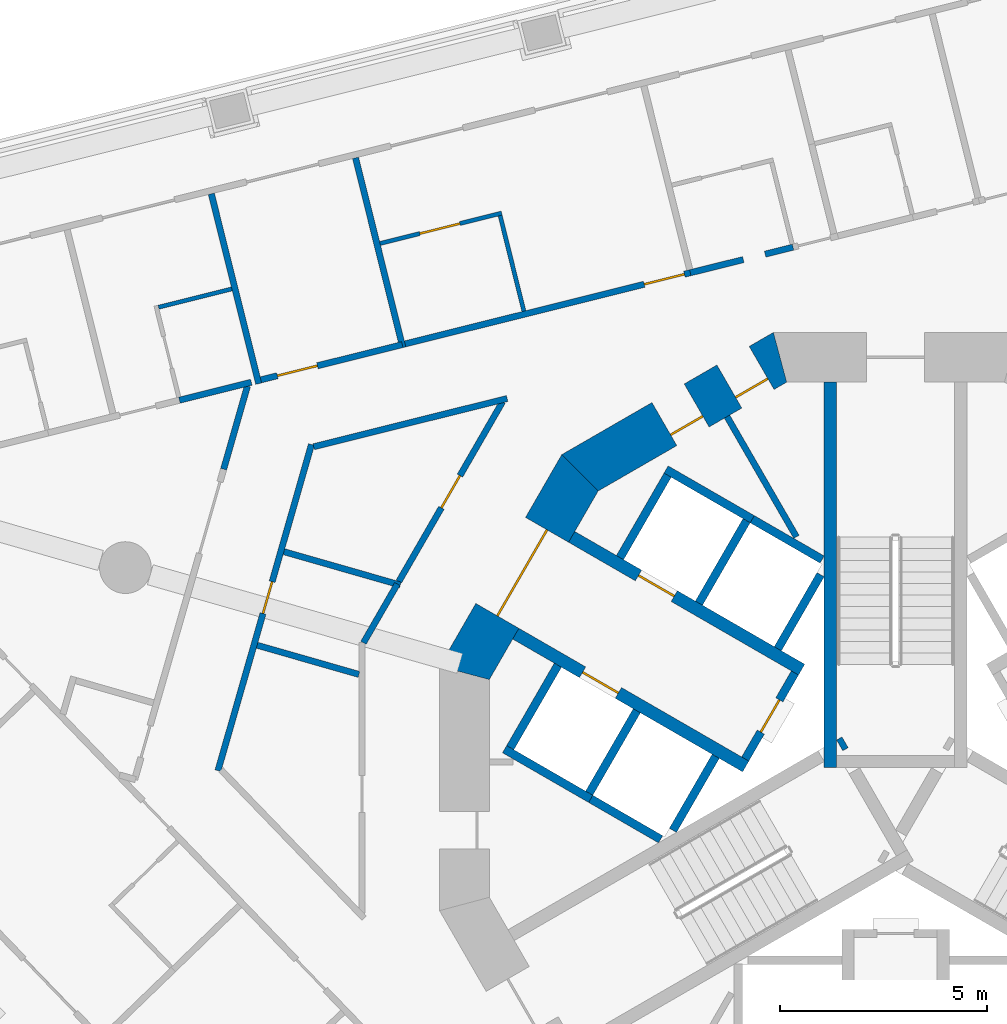
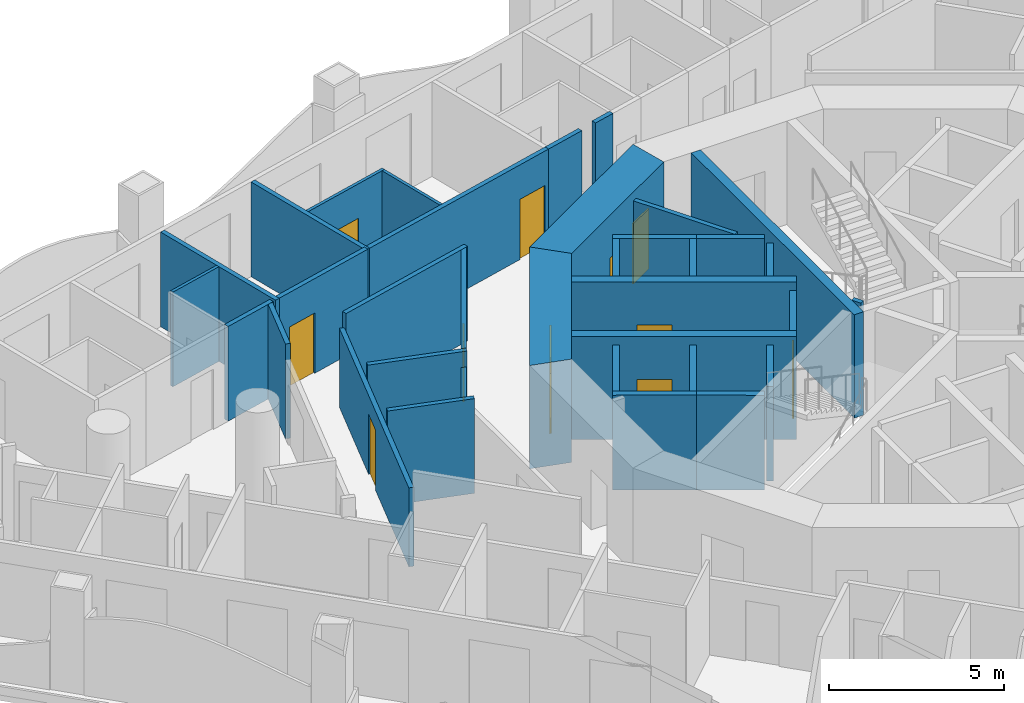
# One storey, part 7 of 19: 35 walls, 11 doors, 11 openings.
"""IFC4 building model written with IfcOpenShell, lengths in metres."""

import ifcopenshell
import ifcopenshell.guid

model = None  # the IFC model being written
_history = None  # IfcOwnerHistory: only IFC2X3 demands one
_inside = {}  # id of a spatial element -> (the spatial element, [elements in it])
_under = {}  # id of a project, library or spatial element -> (it, [spatial elements below it])
_declared = {}  # id of a project -> (the project, [libraries it declares])
_typed = {}  # id of a type object -> (the type object, [elements of that type])
_made_of = {}  # id of a material, layer set ... -> (it, [elements and type objects made of it])


def new_model(schema):
    """Start an empty IFC model of exactly this schema.

    Asked for "IFC4X3", IfcOpenShell would pick the latest addendum, in which some entities
    have other attributes; the version numbers below select the first issue.
    IFC2X3 requires an IfcOwnerHistory on every rooted entity: one is made here for all.
    """
    global model, _history
    if schema == "IFC4X3":
        model = ifcopenshell.file(schema_version=(4, 3, 0, 0))
    else:
        model = ifcopenshell.file(schema=schema)
    _inside.clear()
    _under.clear()
    _declared.clear()
    _typed.clear()
    _made_of.clear()
    _history = None
    if model.schema == "IFC2X3":
        org = make("IfcOrganization", Name="unknown")
        user = make(
            "IfcPersonAndOrganization",
            ThePerson=make("IfcPerson", FamilyName="unknown"),
            TheOrganization=org,
        )
        app = make(
            "IfcApplication",
            ApplicationDeveloper=org,
            Version="unknown",
            ApplicationFullName="unknown",
            ApplicationIdentifier="unknown",
        )
        _history = make(
            "IfcOwnerHistory",
            OwningUser=user,
            OwningApplication=app,
            ChangeAction="ADDED",
            CreationDate=0,
        )
    return model


def make(cls, **values):
    """One entity of the class cls with the attributes given. An attribute that is None is left unset."""
    return model.create_entity(
        cls, **{name: value for name, value in values.items() if value is not None}
    )


def rooted(cls, **values):
    """An entity with a GlobalId (a new one), such as an element, a storey or a relation."""
    return make(cls, GlobalId=ifcopenshell.guid.new(), OwnerHistory=_history, **values)


def si_unit(unit_type, name, prefix=None):
    """IfcSIUnit, for example si_unit("LENGTHUNIT", "METRE", prefix="MILLI")."""
    return make("IfcSIUnit", UnitType=unit_type, Prefix=prefix, Name=name)


def assignment(units):
    """IfcUnitAssignment: the units of a project."""
    return None if units is None else make("IfcUnitAssignment", Units=units)


def point(xyz):
    """IfcCartesianPoint."""
    return None if xyz is None else make("IfcCartesianPoint", Coordinates=xyz)


def direction(xyz):
    """IfcDirection."""
    return None if xyz is None else make("IfcDirection", DirectionRatios=xyz)


def frame(location, z_axis=None, x_axis=None):
    """IfcAxis2Placement3D, a coordinate frame: its origin and axes. An axis left out is left unset."""
    return make(
        "IfcAxis2Placement3D",
        Location=point(location),
        Axis=direction(z_axis),
        RefDirection=direction(x_axis),
    )


def frame_2d(location, x_axis=None):
    """IfcAxis2Placement2D, a coordinate frame in the plane: its origin and x axis."""
    return make(
        "IfcAxis2Placement2D", Location=point(location), RefDirection=direction(x_axis)
    )


def origin():
    """The frame at (0, 0, 0) with its axes left unset."""
    return frame((0.0, 0.0, 0.0))


def place(relative_to, where):
    """IfcLocalPlacement: puts the frame where relative to a parent placement (None: the world)."""
    return make(
        "IfcLocalPlacement", PlacementRelTo=relative_to, RelativePlacement=where
    )


def context(
    kind, dimensions, precision=None, world=None, true_north=None, identifier=None
):
    """IfcGeometricRepresentationContext, for example the 3D "Model" context."""
    return make(
        "IfcGeometricRepresentationContext",
        ContextIdentifier=identifier,
        ContextType=kind,
        CoordinateSpaceDimension=dimensions,
        Precision=precision,
        WorldCoordinateSystem=world,
        TrueNorth=true_north,
    )


def subcontext(parent, identifier, kind, view, scale=None):
    """IfcGeometricRepresentationSubContext, for example "Body" below "Model"."""
    return make(
        "IfcGeometricRepresentationSubContext",
        ContextIdentifier=identifier,
        ContextType=kind,
        ParentContext=parent,
        TargetScale=scale,
        TargetView=view,
    )


def project(units=None, contexts=None):
    """IfcProject with its units and contexts."""
    return rooted(
        "IfcProject",
        Name="project",
        RepresentationContexts=contexts,
        UnitsInContext=assignment(units),
    )


def spatial(cls, under=None, at=None, **own):
    """A site, building, storey or space (cls), placed at a placement, below another one or the project."""
    s = rooted(cls, ObjectPlacement=at, **own)
    if under is not None:
        _under.setdefault(under.id(), (under, []))[1].append(s)
    return s


def polyline(points):
    """IfcPolyline through the points."""
    return make("IfcPolyline", Points=[point(p) for p in points])


def profile(cls, at=None, kind="AREA", **sizes):
    """A parametric profile (cls). Its sizes go by their IFC names, for example OverallWidth=200.0."""
    return make(cls, ProfileType=kind, Position=at, **sizes)


def rectangle(**sizes):
    """IfcRectangleProfileDef."""
    return profile("IfcRectangleProfileDef", **sizes)


def outline(outer, holes=None, kind="AREA"):
    """IfcArbitraryClosedProfileDef: a profile drawn as a closed curve; with holes, ...WithVoids."""
    if holes is None:
        return make("IfcArbitraryClosedProfileDef", ProfileType=kind, OuterCurve=outer)
    return make(
        "IfcArbitraryProfileDefWithVoids",
        ProfileType=kind,
        OuterCurve=outer,
        InnerCurves=holes,
    )


def extrude(swept, where, along, depth):
    """IfcExtrudedAreaSolid: the profile swept, set in the frame where, extruded along a direction by depth."""
    return make(
        "IfcExtrudedAreaSolid",
        SweptArea=swept,
        Position=where,
        ExtrudedDirection=direction(along),
        Depth=depth,
    )


def shape(context_of_items, identifier, shape_type, items):
    """IfcShapeRepresentation: the items that make up one representation, for example the "Body"."""
    return make(
        "IfcShapeRepresentation",
        ContextOfItems=context_of_items,
        RepresentationIdentifier=identifier,
        RepresentationType=shape_type,
        Items=items,
    )


def material(Name=None, Category=None):
    """IfcMaterial."""
    return make("IfcMaterial", Name=Name, Category=Category)


def layer(
    of_material, thickness, ventilated=None, Name=None, Category=None, Priority=None
):
    """IfcMaterialLayer: one layer of a wall or slab, of a material (None: an air gap)."""
    return make(
        "IfcMaterialLayer",
        Material=of_material,
        LayerThickness=thickness,
        IsVentilated=ventilated,
        Name=Name,
        Category=Category,
        Priority=Priority,
    )


def layer_set(layers, Name=None):
    """IfcMaterialLayerSet."""
    return make("IfcMaterialLayerSet", MaterialLayers=layers, LayerSetName=Name)


def made_of(thing, what):
    """Note that an element or type object is made of a material, layer set ...; save() writes the relation."""
    if what is not None:
        _made_of.setdefault(what.id(), (what, []))[1].append(thing)
    return thing


def type_object(cls, material=None, **own):
    """A type object (cls), such as IfcWallType, which elements share."""
    return made_of(rooted(cls, **own), material)


def element(
    cls,
    number,
    at=None,
    inside=None,
    cuts=None,
    type_object=None,
    material=None,
    context=None,
    identifier="Body",
    shape_type=None,
    held_by="IfcProductDefinitionShape",
    body=None,
    shapes=None,
    **own,
):
    """One element of the class cls, such as IfcWall. Its Tag is "e" and its number.

    at: its placement. inside: the storey or other place that contains it. cuts: it is an
    opening in that element (IfcRelVoidsElement). A single representation is given by context,
    identifier, shape_type and body (its items); several are given by shapes. held_by: the class
    of the entity that holds the representations. save() writes the other relations.
    """
    e = rooted(cls, Tag="e%d" % number, ObjectPlacement=at, **own)
    if body is not None:
        shapes = [shape(context, identifier, shape_type, body)]
    if shapes is not None:
        e.Representation = make(held_by, Representations=shapes)
    if inside is not None:
        _inside.setdefault(inside.id(), (inside, []))[1].append(e)
    if cuts is not None:
        rooted(
            "IfcRelVoidsElement", RelatingBuildingElement=cuts, RelatedOpeningElement=e
        )
    if type_object is not None:
        _typed.setdefault(type_object.id(), (type_object, []))[1].append(e)
    return made_of(e, material)


def fill(opening, filler):
    """IfcRelFillsElement: the door or window that sits in an opening."""
    return rooted(
        "IfcRelFillsElement",
        RelatingOpeningElement=opening,
        RelatedBuildingElement=filler,
    )


def aggregate(whole, parts):
    """IfcRelAggregates: a whole, such as a stair, and the parts it consists of."""
    return rooted("IfcRelAggregates", RelatingObject=whole, RelatedObjects=parts)


def save(model, path):
    """Write the relations noted so far, then the file.

    IfcRelAggregates (storeys below a building ...), IfcRelContainedInSpatialStructure (elements
    in a storey), IfcRelDefinesByType, IfcRelAssociatesMaterial and IfcRelDeclares: one each for
    every whole, place, type object, material and project.
    """
    for whole, parts in _under.values():
        aggregate(whole, parts)
    for where, things in _inside.values():
        rooted(
            "IfcRelContainedInSpatialStructure",
            RelatedElements=things,
            RelatingStructure=where,
        )
    for kind, things in _typed.values():
        rooted("IfcRelDefinesByType", RelatedObjects=things, RelatingType=kind)
    for what, things in _made_of.values():
        rooted("IfcRelAssociatesMaterial", RelatedObjects=things, RelatingMaterial=what)
    for by, libraries in _declared.values():
        rooted("IfcRelDeclares", RelatingContext=by, RelatedDefinitions=libraries)
    model.write(path)


model = new_model("IFC4")

# Units and contexts
model_context = context("Model", 3, precision=1e-05, world=origin(), true_north=direction((0.0, 1.0)))
body_context = subcontext(model_context, "Body", "Model", "MODEL_VIEW")
ifc_project = project(units=[si_unit("LENGTHUNIT", "METRE"), si_unit("AREAUNIT", "SQUARE_METRE"), si_unit("VOLUMEUNIT", "CUBIC_METRE"), si_unit("PLANEANGLEUNIT", "RADIAN"), si_unit("MASSUNIT", "GRAM", prefix="KILO")], contexts=[model_context])

# Site, building, storey
site_placement = place(None, origin())
site = spatial("IfcSite", under=ifc_project, at=site_placement, CompositionType="ELEMENT")
building_placement = place(site_placement, origin())
building = spatial("IfcBuilding", under=site, at=building_placement, Name="Trine Commons Tower", CompositionType="ELEMENT")
storey_placement = place(building_placement, frame((0.0, 0.0, 98.10009765625)))
storey = spatial("IfcBuildingStorey", under=building, at=storey_placement, Name="L24", CompositionType="ELEMENT", Elevation=98.10009765625)

# Wall
ifc_material_1 = material(Name="Plasterboard partition on steel studs", Category="steel")
ifc_layer_1 = layer(ifc_material_1, 0.14990234375)
ifc_layer_set_1 = layer_set([ifc_layer_1], Name="Plasterboard partition on steel studs")
wall_type_1 = type_object("IfcWallType", Name="Core room partition 150 mm, EI 60", PredefinedType="PARTITIONING", material=ifc_layer_set_1)
wall_1_placement = place(storey_placement, frame((75.928955078125, 71.47900390625, 0.0), z_axis=(0.0, 0.0, 1.0), x_axis=(0.499985139611, -0.866033983264, 0.0)))
element("IfcWall", 1, at=wall_1_placement, inside=storey, type_object=wall_type_1, Name="Core room partition L24", PredefinedType="PARTITIONING", context=body_context, shape_type="SweptSolid", body=[
    extrude(rectangle(XDim=3.35205078125, YDim=0.14990234375, at=frame_2d((1.676025390625, 0.0))), origin(), (0.0, 0.0, 1.0), 3.2998046875),
])

# Wall, opening, door
ifc_material_2 = material(Name="Fire-rated gypsum shaft wall system")
ifc_layer_2 = layer(ifc_material_2, 0.199951171875)
ifc_layer_set_2 = layer_set([ifc_layer_2], Name="Fire-rated gypsum shaft wall system")
wall_type_2 = type_object("IfcWallType", Name="Lobby end wall 200 mm, EI 120", PredefinedType="PARTITIONING", material=ifc_layer_set_2)
wall_2_placement = place(storey_placement, frame((77.569091796875, 65.2890625, 0.0), z_axis=(0.0, 0.0, 1.0), x_axis=(-0.50012165622, -0.865955154139, 0.0)))
wall_2 = element("IfcWall", 2, at=wall_2_placement, inside=storey, type_object=wall_type_2, Name="Lobby end wall L24", PredefinedType="PARTITIONING", context=body_context, shape_type="SweptSolid", body=[
    extrude(rectangle(XDim=2.39990234375, YDim=0.199951171875, at=frame_2d((1.199951171875, 0.0))), origin(), (0.0, 0.0, 1.0), 3.2998046875),
])
opening_1_placement = place(wall_2_placement, frame((0.749755859375, 0.0, 0.0)))
opening_1 = element("IfcOpeningElement", 3, at=opening_1_placement, cuts=wall_2, Name="Opening K07.07", PredefinedType="OPENING", context=body_context, shape_type="SweptSolid", body=[
    extrude(rectangle(XDim=0.89990234375, YDim=2.10009765625, at=frame_2d((0.449951171875, 1.050048828125))), frame((0.0, 0.10986328125, 0.0), z_axis=(0.0, -1.0, 0.0), x_axis=(1.0, 0.0, 0.0)), (0.0, 0.0, 1.0), 0.219970703125),
])
ifc_material_3 = material(Name="Steel door leaf, fire-rated", Category="steel")
door_type_1 = type_object("IfcDoorType", Name="Riser access door, single leaf 900 x 2100, FD60", OperationType="SINGLE_SWING_LEFT", PredefinedType="DOOR", material=ifc_material_3)
door_1_placement = place(opening_1_placement, frame((0.89990234375, 0.0, 0.0), z_axis=(0.0, 0.0, 1.0), x_axis=(-1.0, 0.0, 0.0)))
door_1 = element("IfcDoor", 4, at=door_1_placement, inside=storey, type_object=door_type_1, Name="Riser door, Mechanical riser L24", OperationType="SINGLE_SWING_RIGHT", OverallHeight=2.10009765625, OverallWidth=0.89990234375, PredefinedType="DOOR", context=body_context, shape_type="SweptSolid", body=[
    extrude(rectangle(XDim=0.89990234375, YDim=2.10009765625, at=frame_2d((0.449951171875, 1.050048828125))), frame((0.0, 0.02490234375, 0.0), z_axis=(0.0, -1.0, 0.0), x_axis=(1.0, 0.0, 0.0)), (0.0, 0.0, 1.0), 0.050048828125),
])
fill(opening_1, door_1)

# Wall, openings, doors
ifc_material_4 = material(Name="Concrete C70/85", Category="concrete")
ifc_layer_3 = layer(ifc_material_4, 1.199951171875)
ifc_layer_set_3 = layer_set([ifc_layer_3], Name="Concrete C70/85")
wall_type_3 = type_object("IfcWallType", Name="RC shear wall 1200 mm, C70/85", PredefinedType="SHEAR", material=ifc_layer_set_3)
wall_3_placement = place(storey_placement, frame((77.349609375, 72.991943359375, 0.0), z_axis=(0.0, 0.0, 1.0), x_axis=(-0.866037463336, -0.499979111662, 0.0)))
wall_3 = element("IfcWall", 5, at=wall_3_placement, inside=storey, type_object=wall_type_3, Name="Core wall CWC-05 L24", PredefinedType="SHEAR", context=body_context, shape_type="SweptSolid", body=[
    extrude(outline(polyline([(0.0, -0.60009765625), (5.901123046875, -0.60009765625), (5.57958984375, 0.60009765625), (0.321533203125, 0.60009765625), (0.0, -0.60009765625)])), origin(), (0.0, 0.0, 1.0), 3.599853515625),
])
opening_2_placement = place(wall_3_placement, frame((0.6748046875, 0.0, 0.0)))
opening_2 = element("IfcOpeningElement", 6, at=opening_2_placement, cuts=wall_3, Name="Opening K07.12", PredefinedType="OPENING", context=body_context, shape_type="SweptSolid", body=[
    extrude(rectangle(XDim=0.89990234375, YDim=2.10009765625, at=frame_2d((0.449951171875, 1.050048828125))), frame((0.0, 0.60986328125, 0.0), z_axis=(0.0, -1.0, 0.0), x_axis=(1.0, 0.0, 0.0)), (0.0, 0.0, 1.0), 1.219970703125),
])
opening_3_placement = place(wall_3_placement, frame((2.48681640625, 0.0, 0.0)))
opening_3 = element("IfcOpeningElement", 7, at=opening_3_placement, cuts=wall_3, Name="Opening K07.13", PredefinedType="OPENING", context=body_context, shape_type="SweptSolid", body=[
    extrude(rectangle(XDim=0.89990234375, YDim=2.10009765625, at=frame_2d((0.449951171875, 1.050048828125))), frame((0.0, 0.60986328125, 0.0), z_axis=(0.0, -1.0, 0.0), x_axis=(1.0, 0.0, 0.0)), (0.0, 0.0, 1.0), 1.219970703125),
])
door_type_2 = type_object("IfcDoorType", Name="Core room door, single leaf 900 x 2100, FD30S", OperationType="SINGLE_SWING_LEFT", PredefinedType="DOOR", material=ifc_material_3)
door_2_placement = place(opening_2_placement, origin())
door_2 = element("IfcDoor", 8, at=door_2_placement, inside=storey, type_object=door_type_2, Name="Door to Pantry L24", OperationType="SINGLE_SWING_LEFT", OverallHeight=2.10009765625, OverallWidth=0.89990234375, PredefinedType="DOOR", context=body_context, shape_type="SweptSolid", body=[
    extrude(rectangle(XDim=0.89990234375, YDim=2.10009765625, at=frame_2d((0.449951171875, 1.050048828125))), frame((0.0, 0.3251953125, 0.0), z_axis=(0.0, -1.0, 0.0), x_axis=(1.0, 0.0, 0.0)), (0.0, 0.0, 1.0), 0.050048828125),
])
fill(opening_2, door_2)
door_3_placement = place(opening_3_placement, origin())
door_3 = element("IfcDoor", 9, at=door_3_placement, inside=storey, type_object=door_type_2, Name="Door to Comms room L24", OperationType="SINGLE_SWING_LEFT", OverallHeight=2.10009765625, OverallWidth=0.89990234375, PredefinedType="DOOR", context=body_context, shape_type="SweptSolid", body=[
    extrude(rectangle(XDim=0.89990234375, YDim=2.10009765625, at=frame_2d((0.449951171875, 1.050048828125))), frame((0.0, 0.3251953125, 0.0), z_axis=(0.0, -1.0, 0.0), x_axis=(1.0, 0.0, 0.0)), (0.0, 0.0, 1.0), 0.050048828125),
])
fill(opening_3, door_3)

# Wall, opening, door
wall_4_placement = place(storey_placement, frame((72.45849609375, 70.260986328125, 0.0), z_axis=(0.0, 0.0, 1.0), x_axis=(-0.499979111662, -0.866037463336, 0.0)))
wall_4 = element("IfcWall", 10, at=wall_4_placement, inside=storey, type_object=wall_type_3, Name="Core wall CWC-06 L24", PredefinedType="SHEAR", context=body_context, shape_type="SweptSolid", body=[
    extrude(outline(polyline([(0.0, -0.60009765625), (5.901123046875, -0.60009765625), (5.57958984375, 0.60009765625), (0.321533203125, 0.60009765625), (0.0, -0.60009765625)])), origin(), (0.0, 0.0, 1.0), 3.599853515625),
])
opening_4_placement = place(wall_4_placement, frame((1.75048828125, 0.0, 0.0)))
opening_4 = element("IfcOpeningElement", 11, at=opening_4_placement, cuts=wall_4, Name="Opening K07.06", PredefinedType="OPENING", context=body_context, shape_type="SweptSolid", body=[
    extrude(rectangle(XDim=2.39990234375, YDim=2.10009765625, at=frame_2d((1.199951171875, 1.050048828125))), frame((0.0, 0.60986328125, 0.0), z_axis=(0.0, -1.0, 0.0), x_axis=(1.0, 0.0, 0.0)), (0.0, 0.0, 1.0), 1.219970703125),
])
ifc_material_5 = material(Name="Steel door leaves, fire-rated", Category="steel")
door_type_3 = type_object("IfcDoorType", Name="Lobby door, double leaf 2400 x 2100, FD60", OperationType="DOUBLE_DOOR_SINGLE_SWING", PredefinedType="DOOR", material=ifc_material_5)
door_4_placement = place(opening_4_placement, origin())
door_4 = element("IfcDoor", 12, at=door_4_placement, inside=storey, type_object=door_type_3, Name="Lobby door, Passenger lift lobby B L24", OperationType="DOUBLE_DOOR_SINGLE_SWING", OverallHeight=2.10009765625, OverallWidth=2.39990234375, PredefinedType="DOOR", context=body_context, shape_type="SweptSolid", body=[
    extrude(rectangle(XDim=2.39990234375, YDim=2.10009765625, at=frame_2d((1.199951171875, 1.050048828125))), frame((0.0, 0.02490234375, 0.0), z_axis=(0.0, -1.0, 0.0), x_axis=(1.0, 0.0, 0.0)), (0.0, 0.0, 1.0), 0.050048828125),
])
fill(opening_4, door_4)

ifc_layer_4 = layer(ifc_material_4, 0.300048828125)
ifc_layer_set_4 = layer_set([ifc_layer_4], Name="Concrete C70/85")
wall_type_4 = type_object("IfcWallType", Name="RC shear wall 300 mm, C70/85", PredefinedType="SHEAR", material=ifc_layer_set_4)
wall_5_placement = place(storey_placement, frame((76.381103515625, 63.031005859375, 0.0), z_axis=(0.0, 0.0, 1.0), x_axis=(-0.866032150378, 0.499988314375, 0.0)))
wall_5 = element("IfcWall", 13, at=wall_5_placement, inside=storey, type_object=wall_type_4, Name="Core cross wall SWA-01 L24", PredefinedType="SHEAR", context=body_context, shape_type="SweptSolid", body=[
    extrude(rectangle(XDim=6.412353515625, YDim=0.300048828125, at=frame_2d((3.2060546875, 0.0))), origin(), (0.0, 0.0, 1.0), 3.599853515625),
])
opening_5_placement = place(wall_5_placement, frame((3.55029296875, 0.0, 0.0)))
opening_5 = element("IfcOpeningElement", 14, at=opening_5_placement, cuts=wall_5, Name="Opening LD3", PredefinedType="OPENING", context=body_context, shape_type="SweptSolid", body=[
    extrude(rectangle(XDim=1.0, YDim=2.10009765625, at=frame_2d((0.5, 1.050048828125))), frame((0.0, 0.159912109375, 0.0), z_axis=(0.0, -1.0, 0.0), x_axis=(1.0, 0.0, 0.0)), (0.0, 0.0, 1.0), 0.320068359375),
])
ifc_material_6 = material(Name="Stainless steel sliding door leaves", Category="steel")
door_type_4 = type_object("IfcDoorType", Name="Lift landing door, centre-opening sliding 1000 x 2100, FD90", OperationType="DOUBLE_DOOR_SLIDING", PredefinedType="DOOR", material=ifc_material_6)
door_5_placement = place(opening_5_placement, origin())
door_5 = element("IfcDoor", 15, at=door_5_placement, inside=storey, type_object=door_type_4, Name="Lift landing door LR3 L24", OperationType="DOUBLE_DOOR_SLIDING", OverallHeight=2.10009765625, OverallWidth=1.0, PredefinedType="DOOR", context=body_context, shape_type="SweptSolid", body=[
    extrude(rectangle(XDim=1.0, YDim=2.10009765625, at=frame_2d((0.5, 1.050048828125))), frame((0.0, 0.02490234375, 0.0), z_axis=(0.0, -1.0, 0.0), x_axis=(1.0, 0.0, 0.0)), (0.0, 0.0, 1.0), 0.050048828125),
])
fill(opening_5, door_5)

wall_6_placement = place(storey_placement, frame((77.73095703125, 65.368896484375, 0.0), z_axis=(0.0, 0.0, 1.0), x_axis=(-0.866022631842, 0.500004801114, 0.0)))
wall_6 = element("IfcWall", 16, at=wall_6_placement, inside=storey, type_object=wall_type_4, Name="Core cross wall SWA-02 L24", PredefinedType="SHEAR", context=body_context, shape_type="SweptSolid", body=[
    extrude(rectangle(XDim=6.412109375, YDim=0.300048828125, at=frame_2d((3.2060546875, 0.0))), origin(), (0.0, 0.0, 1.0), 3.599853515625),
])
opening_6_placement = place(wall_6_placement, frame((3.55029296875, 0.0, 0.0)))
opening_6 = element("IfcOpeningElement", 17, at=opening_6_placement, cuts=wall_6, Name="Opening LD4", PredefinedType="OPENING", context=body_context, shape_type="SweptSolid", body=[
    extrude(rectangle(XDim=1.0, YDim=2.10009765625, at=frame_2d((0.5, 1.050048828125))), frame((0.0, 0.159912109375, 0.0), z_axis=(0.0, -1.0, 0.0), x_axis=(1.0, 0.0, 0.0)), (0.0, 0.0, 1.0), 0.320068359375),
])
door_6_placement = place(opening_6_placement, origin())
door_6 = element("IfcDoor", 18, at=door_6_placement, inside=storey, type_object=door_type_4, Name="Lift landing door LR4 L24", OperationType="DOUBLE_DOOR_SLIDING", OverallHeight=2.10009765625, OverallWidth=1.0, PredefinedType="DOOR", context=body_context, shape_type="SweptSolid", body=[
    extrude(rectangle(XDim=1.0, YDim=2.10009765625, at=frame_2d((0.5, 1.050048828125))), frame((0.0, 0.02490234375, 0.0), z_axis=(0.0, -1.0, 0.0), x_axis=(1.0, 0.0, 0.0)), (0.0, 0.0, 1.0), 0.050048828125),
])
fill(opening_6, door_6)

# Walls
wall_7_placement = place(storey_placement, frame((78.425048828125, 63.0009765625, 0.0), z_axis=(0.0, 0.0, 1.0), x_axis=(0.0, 1.0, 0.0)))
element("IfcWall", 19, at=wall_7_placement, inside=storey, type_object=wall_type_4, Name="Core cross wall SWA-08 L24", PredefinedType="SHEAR", context=body_context, shape_type="SweptSolid", body=[
    extrude(rectangle(XDim=9.31103515625, YDim=0.300048828125, at=frame_2d((4.655517578125, 0.0))), origin(), (0.0, 0.0, 1.0), 3.599853515625),
])
wall_8_placement = place(storey_placement, frame((78.779052734375, 63.614013671875, 0.0), z_axis=(0.0, 0.0, 1.0), x_axis=(-0.867737973955, -0.497021939713, 0.0)))
element("IfcWall", 20, at=wall_8_placement, inside=storey, type_object=wall_type_4, Name="Core cross wall SWA-09 L24", PredefinedType="SHEAR", context=body_context, shape_type="SweptSolid", body=[
    extrude(rectangle(XDim=0.14892578125, YDim=0.300048828125, at=frame_2d((0.074462890625, 0.0))), origin(), (0.0, 0.0, 1.0), 3.599853515625),
])
ifc_layer_5 = layer(ifc_material_2, 0.199951171875)
ifc_layer_set_5 = layer_set([ifc_layer_5], Name="Fire-rated gypsum shaft wall system")
wall_type_5 = type_object("IfcWallType", Name="Shaft wall 200 mm, EI 120", PredefinedType="PARTITIONING", material=ifc_layer_set_5)
wall_9_placement = place(storey_placement, frame((71.844970703125, 65.47607421875, 0.0), z_axis=(0.0, 0.0, 1.0), x_axis=(-0.500136062276, -0.86594683394, 0.0)))
element("IfcWall", 21, at=wall_9_placement, inside=storey, type_object=wall_type_5, Name="Shaft wall L24", PredefinedType="PARTITIONING", context=body_context, shape_type="SweptSolid", body=[
    extrude(rectangle(XDim=2.299072265625, YDim=0.199951171875, at=frame_2d((1.1494140625, 0.0))), origin(), (0.0, 0.0, 1.0), 3.2998046875),
])
wall_10_placement = place(storey_placement, frame((72.637939453125, 62.248046875, 0.0), z_axis=(0.0, 0.0, 1.0), x_axis=(-0.866177122335, 0.499737123639, 0.0)))
element("IfcWall", 22, at=wall_10_placement, inside=storey, type_object=wall_type_5, Name="Shaft wall L24", PredefinedType="PARTITIONING", context=body_context, shape_type="SweptSolid", body=[
    extrude(rectangle(XDim=2.401123046875, YDim=0.199951171875, at=frame_2d((1.20068359375, 0.0))), origin(), (0.0, 0.0, 1.0), 3.2998046875),
])
wall_11_placement = place(storey_placement, frame((73.344970703125, 68.073974609375, 0.0), z_axis=(0.0, 0.0, 1.0), x_axis=(0.500215680983, 0.865900844496, 0.0)))
element("IfcWall", 23, at=wall_11_placement, inside=storey, type_object=wall_type_5, Name="Shaft wall L24", PredefinedType="PARTITIONING", context=body_context, shape_type="SweptSolid", body=[
    extrude(rectangle(XDim=2.29931640625, YDim=0.199951171875, at=frame_2d((1.149658203125, 0.0))), origin(), (0.0, 0.0, 1.0), 3.2998046875),
])
wall_12_placement = place(storey_placement, frame((73.7509765625, 64.3759765625, 0.0), z_axis=(0.0, 0.0, 1.0), x_axis=(-0.500136062276, -0.86594683394, 0.0)))
element("IfcWall", 24, at=wall_12_placement, inside=storey, type_object=wall_type_5, Name="Shaft wall L24", PredefinedType="PARTITIONING", context=body_context, shape_type="SweptSolid", body=[
    extrude(rectangle(XDim=2.299072265625, YDim=0.199951171875, at=frame_2d((1.1494140625, 0.0))), origin(), (0.0, 0.0, 1.0), 3.2998046875),
])
wall_13_placement = place(storey_placement, frame((74.324951171875, 61.27294921875, 0.0), z_axis=(0.0, 0.0, 1.0), x_axis=(-0.865780634835, 0.500423712812, 0.0)))
element("IfcWall", 25, at=wall_13_placement, inside=storey, type_object=wall_type_5, Name="Shaft wall L24", PredefinedType="PARTITIONING", context=body_context, shape_type="SweptSolid", body=[
    extrude(rectangle(XDim=1.948486328125, YDim=0.199951171875, at=frame_2d((0.97412109375, 0.0))), origin(), (0.0, 0.0, 1.0), 3.2998046875),
])
wall_14_placement = place(storey_placement, frame((75.2509765625, 66.97412109375, 0.0), z_axis=(0.0, 0.0, 1.0), x_axis=(0.500136062276, 0.86594683394, 0.0)))
element("IfcWall", 26, at=wall_14_placement, inside=storey, type_object=wall_type_5, Name="Shaft wall L24", PredefinedType="PARTITIONING", context=body_context, shape_type="SweptSolid", body=[
    extrude(rectangle(XDim=2.299072265625, YDim=0.199951171875, at=frame_2d((1.1494140625, 0.0))), origin(), (0.0, 0.0, 1.0), 3.2998046875),
])
wall_15_placement = place(storey_placement, frame((75.656005859375, 63.27587890625, 0.0), z_axis=(0.0, 0.0, 1.0), x_axis=(-0.500271688072, -0.86586848777, 0.0)))
element("IfcWall", 27, at=wall_15_placement, inside=storey, type_object=wall_type_5, Name="Shaft wall L24", PredefinedType="PARTITIONING", context=body_context, shape_type="SweptSolid", body=[
    extrude(rectangle(XDim=2.064697265625, YDim=0.199951171875, at=frame_2d((1.0322265625, 0.0))), origin(), (0.0, 0.0, 1.0), 3.2998046875),
])
wall_16_placement = place(storey_placement, frame((76.5380859375, 69.001953125, 0.0), z_axis=(0.0, 0.0, 1.0), x_axis=(-0.866202511239, 0.499693115345, 0.0)))
element("IfcWall", 28, at=wall_16_placement, inside=storey, type_object=wall_type_5, Name="Shaft wall L24", PredefinedType="PARTITIONING", context=body_context, shape_type="SweptSolid", body=[
    extrude(rectangle(XDim=2.4013671875, YDim=0.199951171875, at=frame_2d((1.20068359375, 0.0))), origin(), (0.0, 0.0, 1.0), 3.2998046875),
])
wall_17_placement = place(storey_placement, frame((77.156005859375, 65.8740234375, 0.0), z_axis=(0.0, 0.0, 1.0), x_axis=(0.499865770674, 0.866102887253, 0.0)))
element("IfcWall", 29, at=wall_17_placement, inside=storey, type_object=wall_type_5, Name="Shaft wall L24", PredefinedType="PARTITIONING", context=body_context, shape_type="SweptSolid", body=[
    extrude(rectangle(XDim=2.064453125, YDim=0.199951171875, at=frame_2d((1.0322265625, 0.0))), origin(), (0.0, 0.0, 1.0), 3.2998046875),
])
wall_18_placement = place(storey_placement, frame((78.22509765625, 68.028076171875, 0.0), z_axis=(0.0, 0.0, 1.0), x_axis=(-0.866052014814, 0.499953905513, 0.0)))
element("IfcWall", 30, at=wall_18_placement, inside=storey, type_object=wall_type_5, Name="Shaft wall L24", PredefinedType="PARTITIONING", context=body_context, shape_type="SweptSolid", body=[
    extrude(rectangle(XDim=1.947998046875, YDim=0.199951171875, at=frame_2d((0.97412109375, 0.0))), origin(), (0.0, 0.0, 1.0), 3.2998046875),
])
ifc_material_7 = material(Name="Gypsum plasterboard on steel stud", Category="steel")
ifc_layer_6 = layer(ifc_material_7, 0.14990234375)
ifc_layer_set_6 = layer_set([ifc_layer_6], Name="Gypsum plasterboard on steel stud")
wall_type_6 = type_object("IfcWallType", Name="Unit and corridor wall 150 mm, EI 60", PredefinedType="PARTITIONING", material=ifc_layer_set_6)
wall_19_placement = place(storey_placement, frame((62.705078125, 71.8759765625, 0.0), z_axis=(0.0, 0.0, 1.0), x_axis=(0.970318656337, 0.241829909573, 0.0)))
element("IfcWall", 31, at=wall_19_placement, inside=storey, type_object=wall_type_6, Name="Partition 027", PredefinedType="PARTITIONING", context=body_context, shape_type="SweptSolid", body=[
    extrude(rectangle(XDim=1.791015625, YDim=0.14990234375, at=frame_2d((0.8955078125, 0.0))), origin(), (0.0, 0.0, 1.0), 3.2998046875),
])
wall_20_placement = place(storey_placement, frame((63.476806640625, 76.858154296875, 0.0), z_axis=(0.0, 0.0, 1.0), x_axis=(0.242049130854, -0.970263994103, 0.0)))
element("IfcWall", 32, at=wall_20_placement, inside=storey, type_object=wall_type_6, Name="Partition 029", PredefinedType="PARTITIONING", context=body_context, shape_type="SweptSolid", body=[
    extrude(rectangle(XDim=4.723388671875, YDim=0.14990234375, at=frame_2d((2.36181640625, 0.0))), origin(), (0.0, 0.0, 1.0), 3.2998046875),
])

# Wall, opening, door
wall_21_placement = place(storey_placement, frame((63.63720703125, 62.930908203125, 0.0), z_axis=(0.0, 0.0, 1.0), x_axis=(0.275598829518, 0.961272742341, 0.0)))
wall_21 = element("IfcWall", 33, at=wall_21_placement, inside=storey, type_object=wall_type_6, Name="Partition 030", PredefinedType="PARTITIONING", context=body_context, shape_type="SweptSolid", body=[
    extrude(rectangle(XDim=8.19140625, YDim=0.14990234375, at=frame_2d((4.095703125, 0.0))), origin(), (0.0, 0.0, 1.0), 2.75),
])
opening_7_placement = place(wall_21_placement, frame((3.94580078125, 0.0, 0.0)))
opening_7 = element("IfcOpeningElement", 34, at=opening_7_placement, cuts=wall_21, Name="Opening D-3B41", PredefinedType="OPENING", context=body_context, shape_type="SweptSolid", body=[
    extrude(rectangle(XDim=0.800048828125, YDim=2.10009765625, at=frame_2d((0.39990234375, 1.050048828125))), frame((0.0, 0.0849609375, 0.0), z_axis=(0.0, -1.0, 0.0), x_axis=(1.0, 0.0, 0.0)), (0.0, 0.0, 1.0), 0.169921875),
])
ifc_material_8 = material(Name="Painted timber", Category="wood")
door_type_5 = type_object("IfcDoorType", Name="Toilet door 800 x 2100, NOT RATED", OperationType="NOTDEFINED", PredefinedType="DOOR", material=ifc_material_8)
door_7_placement = place(opening_7_placement, frame((0.800048828125, 0.0, 0.0), z_axis=(0.0, 0.0, 1.0), x_axis=(-1.0, 0.0, 0.0)))
door_7 = element("IfcDoor", 35, at=door_7_placement, inside=storey, type_object=door_type_5, Name="Door D-3B41", OperationType="SINGLE_SWING_LEFT", OverallHeight=2.10009765625, OverallWidth=0.800048828125, PredefinedType="DOOR", context=body_context, shape_type="SweptSolid", body=[
    extrude(rectangle(XDim=0.800048828125, YDim=2.10009765625, at=frame_2d((0.39990234375, 1.050048828125))), frame((0.0, 0.02490234375, 0.0), z_axis=(0.0, -1.0, 0.0), x_axis=(1.0, 0.0, 0.0)), (0.0, 0.0, 1.0), 0.050048828125),
])
fill(opening_7, door_7)

# Walls
wall_22_placement = place(storey_placement, frame((63.77392578125, 70.2099609375, 0.0), z_axis=(0.0, 0.0, 1.0), x_axis=(0.275353680299, 0.961342993289, 0.0)))
element("IfcWall", 36, at=wall_22_placement, inside=storey, type_object=wall_type_6, Name="Partition 032", PredefinedType="PARTITIONING", context=body_context, shape_type="SweptSolid", body=[
    extrude(rectangle(XDim=2.08984375, YDim=0.14990234375, at=frame_2d((1.044921875, 0.0))), origin(), (0.0, 0.0, 1.0), 3.2998046875),
])
wall_23_placement = place(storey_placement, frame((64.5830078125, 65.958251953125, 0.0), z_axis=(0.0, 0.0, 1.0), x_axis=(0.961285789876, -0.275553316407, 0.0)))
element("IfcWall", 37, at=wall_23_placement, inside=storey, type_object=wall_type_6, Name="Partition 033", PredefinedType="PARTITIONING", context=body_context, shape_type="SweptSolid", body=[
    extrude(rectangle(XDim=2.556884765625, YDim=0.14990234375, at=frame_2d((1.2783203125, 0.0))), origin(), (0.0, 0.0, 1.0), 3.2998046875),
])

# Wall, opening, door
wall_24_placement = place(storey_placement, frame((64.6708984375, 72.3662109375, 0.0), z_axis=(0.0, 0.0, 1.0), x_axis=(0.97035426046, 0.241687006697, 0.0)))
wall_24 = element("IfcWall", 38, at=wall_24_placement, inside=storey, type_object=wall_type_6, Name="Partition 034", PredefinedType="PARTITIONING", context=body_context, shape_type="SweptSolid", body=[
    extrude(rectangle(XDim=3.520263671875, YDim=0.14990234375, at=frame_2d((1.76025390625, 0.0))), origin(), (0.0, 0.0, 1.0), 3.2998046875),
])
opening_8_placement = place(wall_24_placement, frame((0.41015625, 0.0, 0.0)))
opening_8 = element("IfcOpeningElement", 39, at=opening_8_placement, cuts=wall_24, Name="Opening D-3B09", PredefinedType="OPENING", context=body_context, shape_type="SweptSolid", body=[
    extrude(rectangle(XDim=1.0, YDim=2.10009765625, at=frame_2d((0.5, 1.050048828125))), frame((0.0, 0.0849609375, 0.0), z_axis=(0.0, -1.0, 0.0), x_axis=(1.0, 0.0, 0.0)), (0.0, 0.0, 1.0), 0.169921875),
])
door_type_6 = type_object("IfcDoorType", Name="Amenity room door 1000 x 2100, NOT RATED", OperationType="NOTDEFINED", PredefinedType="DOOR", material=ifc_material_8)
door_8_placement = place(opening_8_placement, origin())
door_8 = element("IfcDoor", 40, at=door_8_placement, inside=storey, type_object=door_type_6, Name="Door D-3B09", OperationType="SINGLE_SWING_LEFT", OverallHeight=2.10009765625, OverallWidth=1.0, PredefinedType="DOOR", context=body_context, shape_type="SweptSolid", body=[
    extrude(rectangle(XDim=1.0, YDim=2.10009765625, at=frame_2d((0.5, 1.050048828125))), frame((0.0, 0.02490234375, 0.0), z_axis=(0.0, -1.0, 0.0), x_axis=(1.0, 0.0, 0.0)), (0.0, 0.0, 1.0), 0.050048828125),
])
fill(opening_8, door_8)

# Walls
wall_25_placement = place(storey_placement, frame((65.231201171875, 68.21728515625, 0.0), z_axis=(0.0, 0.0, 1.0), x_axis=(0.961306086513, -0.275482500411, 0.0)))
element("IfcWall", 41, at=wall_25_placement, inside=storey, type_object=wall_type_6, Name="Partition 037", PredefinedType="PARTITIONING", context=body_context, shape_type="SweptSolid", body=[
    extrude(rectangle(XDim=2.921875, YDim=0.14990234375, at=frame_2d((1.4609375, 0.0))), origin(), (0.0, 0.0, 1.0), 3.2998046875),
])
wall_26_placement = place(storey_placement, frame((65.94677734375, 70.751220703125, 0.0), z_axis=(0.0, 0.0, 1.0), x_axis=(0.970300367674, 0.241903279206, 0.0)))
element("IfcWall", 42, at=wall_26_placement, inside=storey, type_object=wall_type_6, Name="Partition 038", PredefinedType="PARTITIONING", context=body_context, shape_type="SweptSolid", body=[
    extrude(rectangle(XDim=4.815185546875, YDim=0.14990234375, at=frame_2d((2.40771484375, 0.0))), origin(), (0.0, 0.0, 1.0), 3.2998046875),
])
wall_27_placement = place(storey_placement, frame((66.958740234375, 77.726318359375, 0.0), z_axis=(0.0, 0.0, 1.0), x_axis=(0.24185448203, -0.970312531879, 0.0)))
element("IfcWall", 43, at=wall_27_placement, inside=storey, type_object=wall_type_6, Name="Partition 039", PredefinedType="PARTITIONING", context=body_context, shape_type="SweptSolid", body=[
    extrude(rectangle(XDim=4.72314453125, YDim=0.14990234375, at=frame_2d((2.361572265625, 0.0))), origin(), (0.0, 0.0, 1.0), 3.2998046875),
])
wall_28_placement = place(storey_placement, frame((67.150390625, 66.01806640625, 0.0), z_axis=(0.0, 0.0, 1.0), x_axis=(0.49971385212, 0.866190548321, 0.0)))
element("IfcWall", 44, at=wall_28_placement, inside=storey, type_object=wall_type_6, Name="Partition 042", PredefinedType="PARTITIONING", context=body_context, shape_type="SweptSolid", body=[
    extrude(rectangle(XDim=1.63818359375, YDim=0.14990234375, at=frame_2d((0.819091796875, 0.0))), origin(), (0.0, 0.0, 1.0), 2.75),
])

# Wall, opening, door
wall_29_placement = place(storey_placement, frame((68.00244140625, 67.493896484375, 0.0), z_axis=(0.0, 0.0, 1.0), x_axis=(0.499945814907, 0.866056685303, 0.0)))
wall_29 = element("IfcWall", 45, at=wall_29_placement, inside=storey, type_object=wall_type_6, Name="Partition 044", PredefinedType="PARTITIONING", context=body_context, shape_type="SweptSolid", body=[
    extrude(rectangle(XDim=5.0146484375, YDim=0.14990234375, at=frame_2d((2.50732421875, 0.0))), origin(), (0.0, 0.0, 1.0), 3.2998046875),
])
opening_9_placement = place(wall_29_placement, frame((2.057373046875, 0.0, 0.0)))
opening_9 = element("IfcOpeningElement", 46, at=opening_9_placement, cuts=wall_29, Name="Opening D-3B40", PredefinedType="OPENING", context=body_context, shape_type="SweptSolid", body=[
    extrude(rectangle(XDim=0.89990234375, YDim=2.10009765625, at=frame_2d((0.449951171875, 1.050048828125))), frame((0.0, 0.0849609375, 0.0), z_axis=(0.0, -1.0, 0.0), x_axis=(1.0, 0.0, 0.0)), (0.0, 0.0, 1.0), 0.169921875),
])
ifc_material_9 = material(Name="Timber fire door set", Category="wood")
door_type_7 = type_object("IfcDoorType", Name="Service door 900 x 2100, FD30S", OperationType="NOTDEFINED", PredefinedType="DOOR", material=ifc_material_9)
door_9_placement = place(opening_9_placement, origin())
door_9 = element("IfcDoor", 47, at=door_9_placement, inside=storey, type_object=door_type_7, Name="Door D-3B40", OperationType="SINGLE_SWING_LEFT", OverallHeight=2.10009765625, OverallWidth=0.89990234375, PredefinedType="DOOR", context=body_context, shape_type="SweptSolid", body=[
    extrude(rectangle(XDim=0.89990234375, YDim=2.10009765625, at=frame_2d((0.449951171875, 1.050048828125))), frame((0.0, 0.02490234375, 0.0), z_axis=(0.0, -1.0, 0.0), x_axis=(1.0, 0.0, 0.0)), (0.0, 0.0, 1.0), 0.050048828125),
])
fill(opening_9, door_9)

wall_30_placement = place(storey_placement, frame((68.15185546875, 73.233154296875, 0.0), z_axis=(0.0, 0.0, 1.0), x_axis=(0.970264309974, 0.242047864671, 0.0)))
wall_30 = element("IfcWall", 48, at=wall_30_placement, inside=storey, type_object=wall_type_6, Name="Partition 045", PredefinedType="PARTITIONING", context=body_context, shape_type="SweptSolid", body=[
    extrude(rectangle(XDim=7.1845703125, YDim=0.14990234375, at=frame_2d((3.59228515625, 0.0))), origin(), (0.0, 0.0, 1.0), 3.2998046875),
])
opening_10_placement = place(wall_30_placement, frame((5.95556640625, 0.0, 0.0)))
opening_10 = element("IfcOpeningElement", 49, at=opening_10_placement, cuts=wall_30, Name="Opening D-3B10", PredefinedType="OPENING", context=body_context, shape_type="SweptSolid", body=[
    extrude(rectangle(XDim=1.0, YDim=2.10009765625, at=frame_2d((0.5, 1.050048828125))), frame((0.0, 0.0849609375, 0.0), z_axis=(0.0, -1.0, 0.0), x_axis=(1.0, 0.0, 0.0)), (0.0, 0.0, 1.0), 0.169921875),
])
door_type_8 = type_object("IfcDoorType", Name="Bedroom door 1000 x 2100, FD30S", OperationType="NOTDEFINED", PredefinedType="DOOR", material=ifc_material_9)
door_10_placement = place(opening_10_placement, origin())
door_10 = element("IfcDoor", 50, at=door_10_placement, inside=storey, type_object=door_type_8, Name="Door D-3B10", OperationType="SINGLE_SWING_RIGHT", OverallHeight=2.10009765625, OverallWidth=1.0, PredefinedType="DOOR", context=body_context, shape_type="SweptSolid", body=[
    extrude(rectangle(XDim=1.0, YDim=2.10009765625, at=frame_2d((0.5, 1.050048828125))), frame((0.0, 0.02490234375, 0.0), z_axis=(0.0, -1.0, 0.0), x_axis=(1.0, 0.0, 0.0)), (0.0, 0.0, 1.0), 0.050048828125),
])
fill(opening_10, door_10)

# Walls
wall_31_placement = place(storey_placement, frame((75.0419921875, 74.951904296875, 0.0), z_axis=(0.0, 0.0, 1.0), x_axis=(0.970305574553, 0.241882392893, 0.0)))
element("IfcWall", 51, at=wall_31_placement, inside=storey, type_object=wall_type_6, Name="Partition 058", PredefinedType="PARTITIONING", context=body_context, shape_type="SweptSolid", body=[
    extrude(rectangle(XDim=1.319091796875, YDim=0.14990234375, at=frame_2d((0.65966796875, 0.0))), origin(), (0.0, 0.0, 1.0), 3.2998046875),
])
wall_32_placement = place(storey_placement, frame((76.84912109375, 75.402099609375, 0.0), z_axis=(0.0, 0.0, 1.0), x_axis=(0.970471582377, 0.241215480013, 0.0)))
element("IfcWall", 52, at=wall_32_placement, inside=storey, type_object=wall_type_6, Name="Partition 062", PredefinedType="PARTITIONING", context=body_context, shape_type="SweptSolid", body=[
    extrude(rectangle(XDim=0.6962890625, YDim=0.14990234375, at=frame_2d((0.34814453125, 0.0))), origin(), (0.0, 0.0, 1.0), 3.2998046875),
])
ifc_layer_7 = layer(ifc_material_7, 0.10009765625)
ifc_layer_set_7 = layer_set([ifc_layer_7], Name="Gypsum plasterboard on steel stud")
wall_type_7 = type_object("IfcWallType", Name="Unit partition 100 mm, no rating", PredefinedType="PARTITIONING", material=ifc_layer_set_7)
wall_33_placement = place(storey_placement, frame((62.201416015625, 74.1201171875, 0.0), z_axis=(0.0, 0.0, 1.0), x_axis=(0.970276128406, 0.242000484804, 0.0)))
element("IfcWall", 53, at=wall_33_placement, inside=storey, type_object=wall_type_7, Name="Partition 025", PredefinedType="PARTITIONING", context=body_context, shape_type="SweptSolid", body=[
    extrude(rectangle(XDim=1.824951171875, YDim=0.10009765625, at=frame_2d((0.91259765625, 0.0))), origin(), (0.0, 0.0, 1.0), 3.2998046875),
])

# Wall, opening, door
wall_34_placement = place(storey_placement, frame((67.55078125, 75.66015625, 0.0), z_axis=(0.0, 0.0, 1.0), x_axis=(0.970298931632, 0.241909039254, 0.0)))
wall_34 = element("IfcWall", 54, at=wall_34_placement, inside=storey, type_object=wall_type_7, Name="Partition 043", PredefinedType="PARTITIONING", context=body_context, shape_type="SweptSolid", body=[
    extrude(rectangle(XDim=3.025634765625, YDim=0.10009765625, at=frame_2d((1.5126953125, 0.0))), origin(), (0.0, 0.0, 1.0), 3.2998046875),
])
opening_11_placement = place(wall_34_placement, frame((0.98779296875, 0.0, 0.0)))
opening_11 = element("IfcOpeningElement", 55, at=opening_11_placement, cuts=wall_34, Name="Opening D-3B45", PredefinedType="OPENING", context=body_context, shape_type="SweptSolid", body=[
    extrude(rectangle(XDim=1.0, YDim=2.10009765625, at=frame_2d((0.5, 1.050048828125))), frame((0.0, 0.06005859375, 0.0), z_axis=(0.0, -1.0, 0.0), x_axis=(1.0, 0.0, 0.0)), (0.0, 0.0, 1.0), 0.1201171875),
])
door_type_9 = type_object("IfcDoorType", Name="Internal door 1000 x 2100, NOT RATED", OperationType="NOTDEFINED", PredefinedType="DOOR", material=ifc_material_8)
door_11_placement = place(opening_11_placement, origin())
door_11 = element("IfcDoor", 56, at=door_11_placement, inside=storey, type_object=door_type_9, Name="Door D-3B45", OperationType="SINGLE_SWING_LEFT", OverallHeight=2.10009765625, OverallWidth=1.0, PredefinedType="DOOR", context=body_context, shape_type="SweptSolid", body=[
    extrude(rectangle(XDim=1.0, YDim=2.10009765625, at=frame_2d((0.5, 1.050048828125))), frame((0.0, 0.02490234375, 0.0), z_axis=(0.0, -1.0, 0.0), x_axis=(1.0, 0.0, 0.0)), (0.0, 0.0, 1.0), 0.050048828125),
])
fill(opening_11, door_11)

# Wall
wall_35_placement = place(storey_placement, frame((70.4501953125, 76.33154296875, 0.0), z_axis=(0.0, 0.0, 1.0), x_axis=(0.241955150461, -0.970287434303, 0.0)))
element("IfcWall", 57, at=wall_35_placement, inside=storey, type_object=wall_type_7, Name="Partition 047", PredefinedType="PARTITIONING", context=body_context, shape_type="SweptSolid", body=[
    extrude(rectangle(XDim=2.375244140625, YDim=0.10009765625, at=frame_2d((1.1875, 0.0))), origin(), (0.0, 0.0, 1.0), 3.2998046875),
])

save(model, "model.ifc")
